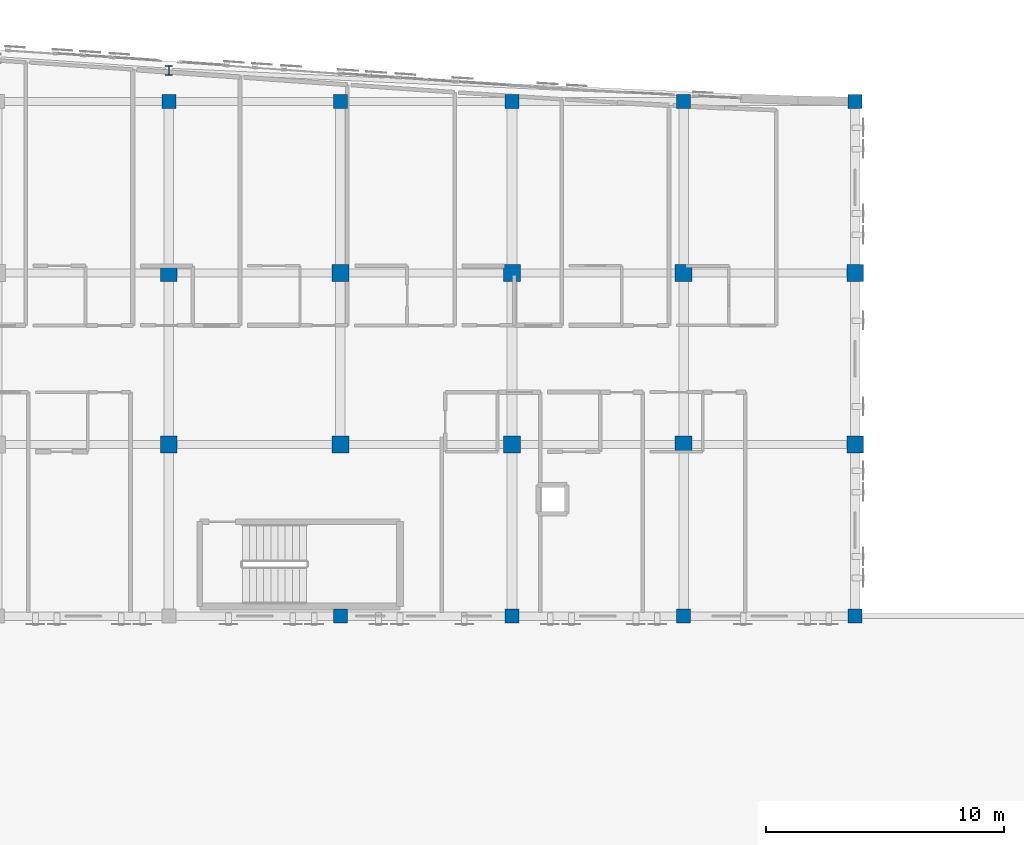
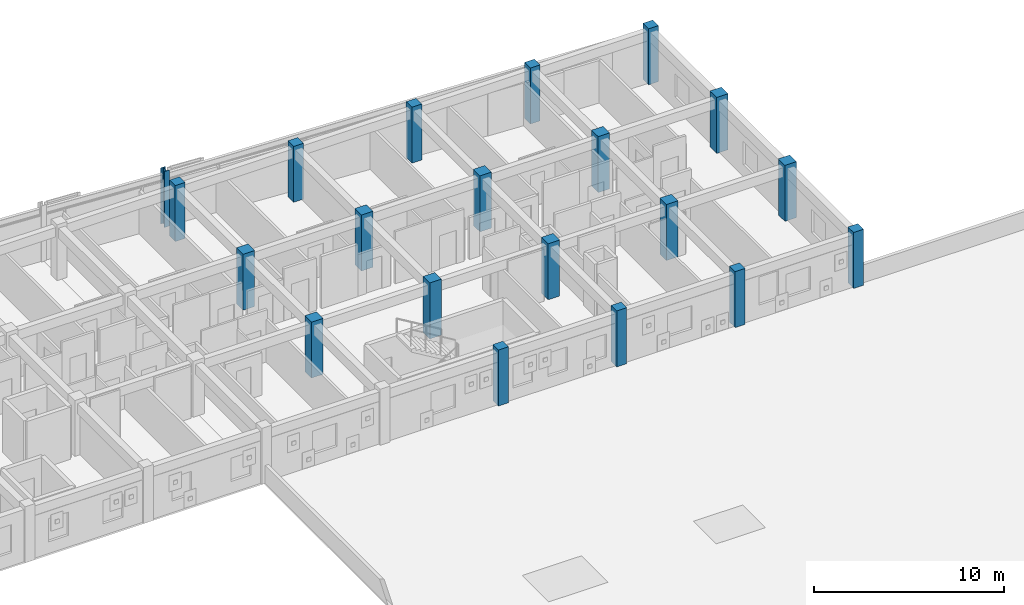
# One storey, part 4 of 50: 20 columns.
"""IFC4 building model written with IfcOpenShell, lengths in metres."""

from ifc_helpers import new_model, si_unit, direction, frame, origin, origin_2d, place, context, subcontext, project, spatial, rectangle, i_section, extrude, material, material_profile, profile_set, type_object, element, save


model = new_model("IFC4")

# Units and contexts
model_context = context("Model", 3, precision=1e-05, world=origin(), true_north=direction((0.0, 1.0)))
body_context = subcontext(model_context, "Body", "Model", "MODEL_VIEW")
ifc_project = project(units=[si_unit("LENGTHUNIT", "METRE"), si_unit("AREAUNIT", "SQUARE_METRE"), si_unit("VOLUMEUNIT", "CUBIC_METRE"), si_unit("PLANEANGLEUNIT", "RADIAN"), si_unit("MASSUNIT", "GRAM", prefix="KILO")], contexts=[model_context])

# Site, building, storey
site_placement = place(None, origin())
site = spatial("IfcSite", under=ifc_project, at=site_placement, CompositionType="ELEMENT")
building_placement = place(site_placement, origin())
building = spatial("IfcBuilding", under=site, at=building_placement, Name="Carrowvane Square Congress Hotel", CompositionType="ELEMENT")
storey_placement = place(building_placement, frame((0.0, 0.0, 22.800048828125)))
storey = spatial("IfcBuildingStorey", under=building, at=storey_placement, Name="L05", CompositionType="ELEMENT", Elevation=22.800048828125)

# Columns
ifc_material_1 = material(Name="Concrete C40/50", Category="concrete")
ifc_material_profile_1 = material_profile(ifc_material_1, rectangle(XDim=0.60009765625, YDim=0.60009765625, at=origin_2d()), Name="RC 600x600")
ifc_profile_set_1 = profile_set([ifc_material_profile_1], Name="Concrete C40/50")
column_type_1 = type_object("IfcColumnType", Name="COL-RC-600", PredefinedType="COLUMN", material=ifc_profile_set_1)
for number, where, z_axis, x_axis, name in (
    (1, (134.0, 113.39990234375, 0.0), (0.0, 0.0, 1.0), (1.0, 0.0, 0.0), "L05 column 18/R"),
    (2, (141.199951171875, 91.800048828125, 0.0), (0.0, 0.0, 1.0), (1.0, 0.0, 0.0), "L05 column 19/N"),
    (3, (141.199951171875, 113.39990234375, 0.0), (0.0, 0.0, 1.0), (1.0, 0.0, 0.0), "L05 column 19/R"),
    (4, (148.39990234375, 91.800048828125, 0.0), (0.0, 0.0, 1.0), (1.0, 0.0, 0.0), "L05 column 20/N"),
    (5, (148.39990234375, 113.39990234375, 0.0), (0.0, 0.0, 1.0), (1.0, 0.0, 0.0), "L05 column 20/R"),
    (6, (155.60009765625, 91.800048828125, 0.0), (0.0, 0.0, 1.0), (1.0, 0.0, 0.0), "L05 column 21/N"),
    (7, (155.60009765625, 113.39990234375, 0.0), (0.0, 0.0, 1.0), (1.0, 0.0, 0.0), "L05 column 21/R"),
    (8, (162.800048828125, 91.800048828125, 0.0), (0.0, 0.0, 1.0), (1.0, 0.0, 0.0), "L05 column 22/N"),
    (9, (162.800048828125, 113.39990234375, 0.0), (0.0, 0.0, 1.0), (1.0, 0.0, 0.0), "L05 column 22/R"),
):
    element("IfcColumn", number, at=place(storey_placement, frame(where, z_axis=z_axis, x_axis=x_axis)), inside=storey, type_object=column_type_1, Name=name, PredefinedType="COLUMN", context=body_context, shape_type="SweptSolid", body=[
        extrude(rectangle(XDim=0.60009765625, YDim=0.60009765625, at=origin_2d()), origin(), (0.0, 0.0, 1.0), 3.599853515625),
    ])
ifc_material_2 = material(Name="Concrete C40/50", Category="concrete")
ifc_material_profile_2 = material_profile(ifc_material_2, rectangle(XDim=0.699951171875, YDim=0.699951171875, at=origin_2d()), Name="RC 700x700")
ifc_profile_set_2 = profile_set([ifc_material_profile_2], Name="Concrete C40/50")
column_type_2 = type_object("IfcColumnType", Name="COL-RC-700", PredefinedType="COLUMN", material=ifc_profile_set_2)
for number, where, z_axis, x_axis, name in (
    (10, (134.0, 99.0, 0.0), (0.0, 0.0, 1.0), (1.0, 0.0, 0.0), "L05 column 18/P"),
    (11, (134.0, 106.199951171875, 0.0), (0.0, 0.0, 1.0), (1.0, 0.0, 0.0), "L05 column 18/Q"),
    (12, (141.199951171875, 99.0, 0.0), (0.0, 0.0, 1.0), (1.0, 0.0, 0.0), "L05 column 19/P"),
    (13, (141.199951171875, 106.199951171875, 0.0), (0.0, 0.0, 1.0), (1.0, 0.0, 0.0), "L05 column 19/Q"),
    (14, (148.39990234375, 99.0, 0.0), (0.0, 0.0, 1.0), (1.0, 0.0, 0.0), "L05 column 20/P"),
    (15, (148.39990234375, 106.199951171875, 0.0), (0.0, 0.0, 1.0), (1.0, 0.0, 0.0), "L05 column 20/Q"),
    (16, (155.60009765625, 99.0, 0.0), (0.0, 0.0, 1.0), (1.0, 0.0, 0.0), "L05 column 21/P"),
    (17, (155.60009765625, 106.199951171875, 0.0), (0.0, 0.0, 1.0), (1.0, 0.0, 0.0), "L05 column 21/Q"),
    (18, (162.800048828125, 99.0, 0.0), (0.0, 0.0, 1.0), (1.0, 0.0, 0.0), "L05 column 22/P"),
    (19, (162.800048828125, 106.199951171875, 0.0), (0.0, 0.0, 1.0), (1.0, 0.0, 0.0), "L05 column 22/Q"),
):
    element("IfcColumn", number, at=place(storey_placement, frame(where, z_axis=z_axis, x_axis=x_axis)), inside=storey, type_object=column_type_2, Name=name, PredefinedType="COLUMN", context=body_context, shape_type="SweptSolid", body=[
        extrude(rectangle(XDim=0.699951171875, YDim=0.699951171875, at=origin_2d()), origin(), (0.0, 0.0, 1.0), 3.599853515625),
    ])
ifc_material_3 = material(Name="Steel S355", Category="steel")
ifc_material_profile_3 = material_profile(ifc_material_3, i_section(OverallWidth=0.300048828125, OverallDepth=0.39990234375, WebThickness=0.013427734375, FlangeThickness=0.02392578125, FilletRadius=0.027099609375, at=origin_2d()), Name="HEB 400")
ifc_profile_set_3 = profile_set([ifc_material_profile_3], Name="Steel S355")
column_type_3 = type_object("IfcColumnType", Name="COL-ST-HEB400", PredefinedType="COLUMN", material=ifc_profile_set_3)
column_placement = place(storey_placement, frame((134.0, 114.7060546875, 0.0), z_axis=(0.0, 0.0, 1.0), x_axis=(1.0, 0.0, 0.0)))
element("IfcColumn", 20, at=column_placement, inside=storey, type_object=column_type_3, Name="L05 column 18/ARC", PredefinedType="COLUMN", context=body_context, shape_type="SweptSolid", body=[
    extrude(i_section(OverallWidth=0.300048828125, OverallDepth=0.39990234375, WebThickness=0.013427734375, FlangeThickness=0.02392578125, FilletRadius=0.027099609375, at=origin_2d()), origin(), (0.0, 0.0, 1.0), 3.599853515625),
])

save(model, "model.ifc")
